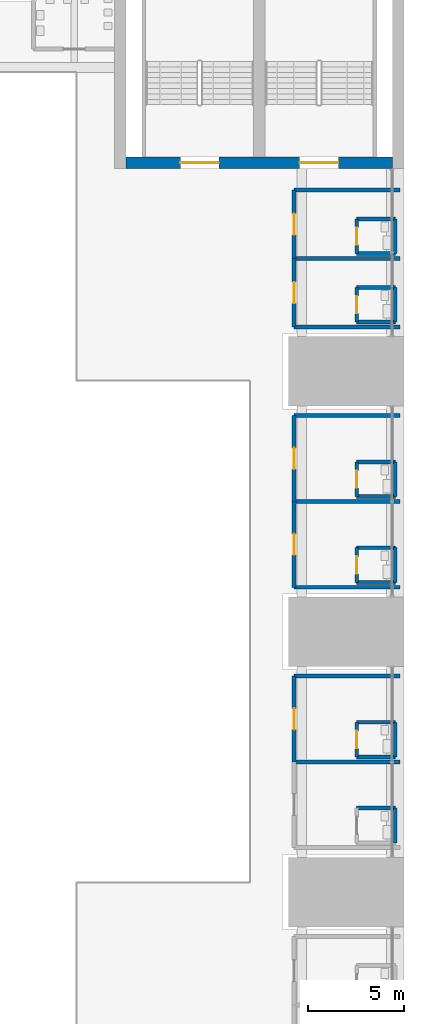
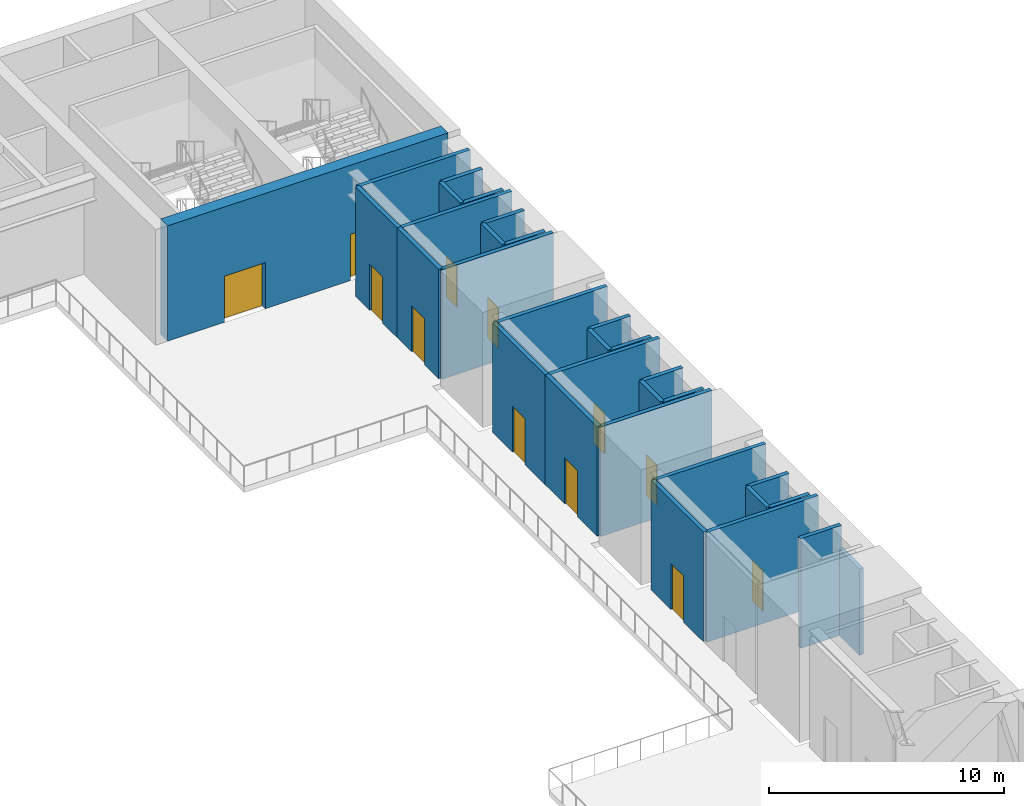
# One storey, part 17 of 43: 36 walls, 12 doors, 12 openings.
"""IFC4 building model written with IfcOpenShell, lengths in metres."""

from ifc_helpers import new_model, si_unit, direction, frame, frame_2d, origin, place, context, subcontext, project, spatial, rectangle, extrude, material, layer, layer_set, type_object, element, fill, save


model = new_model("IFC4")

# Units and contexts
model_context = context("Model", 3, precision=1e-05, world=origin(), true_north=direction((0.0, 1.0)))
body_context = subcontext(model_context, "Body", "Model", "MODEL_VIEW")
ifc_project = project(units=[si_unit("LENGTHUNIT", "METRE"), si_unit("AREAUNIT", "SQUARE_METRE"), si_unit("VOLUMEUNIT", "CUBIC_METRE"), si_unit("PLANEANGLEUNIT", "RADIAN"), si_unit("MASSUNIT", "GRAM", prefix="KILO")], contexts=[model_context])

# Site, building, storey
site_placement = place(None, origin())
site = spatial("IfcSite", under=ifc_project, at=site_placement, CompositionType="ELEMENT")
building_placement = place(site_placement, origin())
building = spatial("IfcBuilding", under=site, at=building_placement, Name="Corbelhall Arena Tower", CompositionType="ELEMENT")
storey_placement = place(building_placement, frame((0.0, 0.0, 25.0)))
storey = spatial("IfcBuildingStorey", under=building, at=storey_placement, Name="L03", CompositionType="ELEMENT", Elevation=25.0)

# Wall, opening, door
ifc_material_1 = material(Name="Gypsum board on steel studs", Category="steel")
ifc_layer_1 = layer(ifc_material_1, 0.199951171875)
ifc_layer_set_1 = layer_set([ifc_layer_1], Name="AR-ROOM-WALL")
wall_type_1 = type_object("IfcWallType", Name="AR-ROOM-WALL", PredefinedType="PARTITIONING", material=ifc_layer_set_1)
wall_1_placement = place(storey_placement, frame((42.300048828125, 2.300048828125, 0.0), z_axis=(0.0, 0.0, 1.0), x_axis=(0.0, 1.0, 0.0)))
wall_1 = element("IfcWall", 1, at=wall_1_placement, inside=storey, type_object=wall_type_1, Name="Suite seating 0301 wall", PredefinedType="PARTITIONING", context=body_context, shape_type="SweptSolid", body=[
    extrude(rectangle(XDim=4.449951171875, YDim=0.199951171875, at=frame_2d((2.22509765625, 0.0))), origin(), (0.0, 0.0, 1.0), 5.699951171875),
])
opening_1_placement = place(wall_1_placement, frame((1.675048828125, 0.0, 0.0)))
opening_1 = element("IfcOpeningElement", 2, at=opening_1_placement, cuts=wall_1, Name="Opening DA0383", PredefinedType="OPENING", context=body_context, shape_type="SweptSolid", body=[
    extrude(rectangle(XDim=1.10009765625, YDim=2.39990234375, at=frame_2d((0.550048828125, 1.199951171875))), frame((0.0, 0.10009765625, 0.0), z_axis=(0.0, -1.0, 0.0), x_axis=(1.0, 0.0, 0.0)), (0.0, 0.0, 1.0), 0.199951171875),
])
ifc_material_2 = material(Name="Timber", Category="wood")
door_type_1 = type_object("IfcDoorType", Name="AR-ROOM-DOOR", OperationType="DOUBLE_DOOR_SINGLE_SWING", PredefinedType="DOOR", material=ifc_material_2)
door_1_placement = place(opening_1_placement, origin())
door_1 = element("IfcDoor", 3, at=door_1_placement, inside=storey, type_object=door_type_1, Name="Suite seating 0301 door", OperationType="DOUBLE_DOOR_SINGLE_SWING", OverallHeight=2.39990234375, OverallWidth=1.10009765625, PredefinedType="DOOR", context=body_context, shape_type="SweptSolid", body=[
    extrude(rectangle(XDim=1.10009765625, YDim=2.39990234375, at=frame_2d((0.550048828125, 1.199951171875))), frame((0.0, 0.02490234375, 0.0), z_axis=(0.0, -1.0, 0.0), x_axis=(1.0, 0.0, 0.0)), (0.0, 0.0, 1.0), 0.050048828125),
])
fill(opening_1, door_1)

# Walls
for number, where, z_axis, x_axis, name in (
    (4, (42.300048828125, 2.300048828125, 0.0), (0.0, 0.0, 1.0), (1.0, 0.0, 0.0), "Suite seating 0301 end wall"),
    (5, (42.300048828125, 6.75, 0.0), (0.0, 0.0, 1.0), (1.0, 0.0, 0.0), "Suite seating 0301 partition"),
):
    element("IfcWall", number, at=place(storey_placement, frame(where, z_axis=z_axis, x_axis=x_axis)), inside=storey, type_object=wall_type_1, Name=name, PredefinedType="PARTITIONING", context=body_context, shape_type="SweptSolid", body=[
        extrude(rectangle(XDim=5.5, YDim=0.199951171875, at=frame_2d((2.75, 0.0))), origin(), (0.0, 0.0, 1.0), 5.699951171875),
    ])
for number, where, z_axis, x_axis, name in (
    (6, (45.550048828125, 2.550048828125, 0.0), (0.0, 0.0, 1.0), (1.0, 0.0, 0.0), "Suite WC 0301 wall"),
    (7, (47.550048828125, 4.35009765625, 0.0), (0.0, 0.0, 1.0), (-1.0, 0.0, 0.0), "Suite WC 0301 wall"),
):
    element("IfcWall", number, at=place(storey_placement, frame(where, z_axis=z_axis, x_axis=x_axis)), inside=storey, type_object=wall_type_1, Name=name, PredefinedType="PARTITIONING", context=body_context, shape_type="SweptSolid", body=[
        extrude(rectangle(XDim=2.0, YDim=0.199951171875, at=frame_2d((1.0, 0.0))), origin(), (0.0, 0.0, 1.0), 5.699951171875),
    ])

# Wall, opening, door
wall_2_placement = place(storey_placement, frame((45.550048828125, 2.550048828125, 0.0), z_axis=(0.0, 0.0, 1.0), x_axis=(0.0, 1.0, 0.0)))
wall_2 = element("IfcWall", 8, at=wall_2_placement, inside=storey, type_object=wall_type_1, Name="Suite WC 0301 wall", PredefinedType="PARTITIONING", context=body_context, shape_type="SweptSolid", body=[
    extrude(rectangle(XDim=1.800048828125, YDim=0.199951171875, at=frame_2d((0.89990234375, 0.0))), origin(), (0.0, 0.0, 1.0), 5.699951171875),
])
opening_2_placement = place(wall_2_placement, frame((0.449951171875, 0.0, 0.0)))
opening_2 = element("IfcOpeningElement", 9, at=opening_2_placement, cuts=wall_2, Name="Opening DA0384", PredefinedType="OPENING", context=body_context, shape_type="SweptSolid", body=[
    extrude(rectangle(XDim=0.89990234375, YDim=2.10009765625, at=frame_2d((0.449951171875, 1.050048828125))), frame((0.0, 0.10009765625, 0.0), z_axis=(0.0, -1.0, 0.0), x_axis=(1.0, 0.0, 0.0)), (0.0, 0.0, 1.0), 0.199951171875),
])
door_type_2 = type_object("IfcDoorType", Name="AR-CELL-DOOR", OperationType="SINGLE_SWING_LEFT", PredefinedType="DOOR", material=ifc_material_2)
door_2_placement = place(opening_2_placement, origin())
door_2 = element("IfcDoor", 10, at=door_2_placement, inside=storey, type_object=door_type_2, Name="Suite WC 0301 door", OperationType="SINGLE_SWING_LEFT", OverallHeight=2.10009765625, OverallWidth=0.89990234375, PredefinedType="DOOR", context=body_context, shape_type="SweptSolid", body=[
    extrude(rectangle(XDim=0.89990234375, YDim=2.10009765625, at=frame_2d((0.449951171875, 1.050048828125))), frame((0.0, 0.02490234375, 0.0), z_axis=(0.0, -1.0, 0.0), x_axis=(1.0, 0.0, 0.0)), (0.0, 0.0, 1.0), 0.050048828125),
])
fill(opening_2, door_2)

wall_3_placement = place(storey_placement, frame((42.300048828125, 6.75, 0.0), z_axis=(0.0, 0.0, 1.0), x_axis=(0.0, 1.0, 0.0)))
wall_3 = element("IfcWall", 11, at=wall_3_placement, inside=storey, type_object=wall_type_1, Name="Suite seating 0302 wall", PredefinedType="PARTITIONING", context=body_context, shape_type="SweptSolid", body=[
    extrude(rectangle(XDim=4.449951171875, YDim=0.199951171875, at=frame_2d((2.22509765625, 0.0))), origin(), (0.0, 0.0, 1.0), 5.699951171875),
])
opening_3_placement = place(wall_3_placement, frame((1.675048828125, 0.0, 0.0)))
opening_3 = element("IfcOpeningElement", 12, at=opening_3_placement, cuts=wall_3, Name="Opening DA0385", PredefinedType="OPENING", context=body_context, shape_type="SweptSolid", body=[
    extrude(rectangle(XDim=1.10009765625, YDim=2.39990234375, at=frame_2d((0.550048828125, 1.199951171875))), frame((0.0, 0.10009765625, 0.0), z_axis=(0.0, -1.0, 0.0), x_axis=(1.0, 0.0, 0.0)), (0.0, 0.0, 1.0), 0.199951171875),
])
door_3_placement = place(opening_3_placement, origin())
door_3 = element("IfcDoor", 13, at=door_3_placement, inside=storey, type_object=door_type_1, Name="Suite seating 0302 door", OperationType="DOUBLE_DOOR_SINGLE_SWING", OverallHeight=2.39990234375, OverallWidth=1.10009765625, PredefinedType="DOOR", context=body_context, shape_type="SweptSolid", body=[
    extrude(rectangle(XDim=1.10009765625, YDim=2.39990234375, at=frame_2d((0.550048828125, 1.199951171875))), frame((0.0, 0.02490234375, 0.0), z_axis=(0.0, -1.0, 0.0), x_axis=(1.0, 0.0, 0.0)), (0.0, 0.0, 1.0), 0.050048828125),
])
fill(opening_3, door_3)

# Walls
wall_4_placement = place(storey_placement, frame((42.300048828125, 11.199951171875, 0.0), z_axis=(0.0, 0.0, 1.0), x_axis=(1.0, 0.0, 0.0)))
element("IfcWall", 14, at=wall_4_placement, inside=storey, type_object=wall_type_1, Name="Suite seating 0302 end wall", PredefinedType="PARTITIONING", context=body_context, shape_type="SweptSolid", body=[
    extrude(rectangle(XDim=5.5, YDim=0.199951171875, at=frame_2d((2.75, 0.0))), origin(), (0.0, 0.0, 1.0), 5.699951171875),
])
for number, where, z_axis, x_axis, name in (
    (15, (45.550048828125, 7.0, 0.0), (0.0, 0.0, 1.0), (1.0, 0.0, 0.0), "Suite WC 0302 wall"),
    (16, (47.550048828125, 8.800048828125, 0.0), (0.0, 0.0, 1.0), (-1.0, 0.0, 0.0), "Suite WC 0302 wall"),
):
    element("IfcWall", number, at=place(storey_placement, frame(where, z_axis=z_axis, x_axis=x_axis)), inside=storey, type_object=wall_type_1, Name=name, PredefinedType="PARTITIONING", context=body_context, shape_type="SweptSolid", body=[
        extrude(rectangle(XDim=2.0, YDim=0.199951171875, at=frame_2d((1.0, 0.0))), origin(), (0.0, 0.0, 1.0), 5.699951171875),
    ])

# Wall, opening, door
wall_5_placement = place(storey_placement, frame((45.550048828125, 7.0, 0.0), z_axis=(0.0, 0.0, 1.0), x_axis=(0.0, 1.0, 0.0)))
wall_5 = element("IfcWall", 17, at=wall_5_placement, inside=storey, type_object=wall_type_1, Name="Suite WC 0302 wall", PredefinedType="PARTITIONING", context=body_context, shape_type="SweptSolid", body=[
    extrude(rectangle(XDim=1.800048828125, YDim=0.199951171875, at=frame_2d((0.89990234375, 0.0))), origin(), (0.0, 0.0, 1.0), 5.699951171875),
])
opening_4_placement = place(wall_5_placement, frame((0.449951171875, 0.0, 0.0)))
opening_4 = element("IfcOpeningElement", 18, at=opening_4_placement, cuts=wall_5, Name="Opening DA0386", PredefinedType="OPENING", context=body_context, shape_type="SweptSolid", body=[
    extrude(rectangle(XDim=0.89990234375, YDim=2.10009765625, at=frame_2d((0.449951171875, 1.050048828125))), frame((0.0, 0.10009765625, 0.0), z_axis=(0.0, -1.0, 0.0), x_axis=(1.0, 0.0, 0.0)), (0.0, 0.0, 1.0), 0.199951171875),
])
door_4_placement = place(opening_4_placement, origin())
door_4 = element("IfcDoor", 19, at=door_4_placement, inside=storey, type_object=door_type_2, Name="Suite WC 0302 door", OperationType="SINGLE_SWING_LEFT", OverallHeight=2.10009765625, OverallWidth=0.89990234375, PredefinedType="DOOR", context=body_context, shape_type="SweptSolid", body=[
    extrude(rectangle(XDim=0.89990234375, YDim=2.10009765625, at=frame_2d((0.449951171875, 1.050048828125))), frame((0.0, 0.02490234375, 0.0), z_axis=(0.0, -1.0, 0.0), x_axis=(1.0, 0.0, 0.0)), (0.0, 0.0, 1.0), 0.050048828125),
])
fill(opening_4, door_4)

# Walls
wall_6_placement = place(storey_placement, frame((42.300048828125, -6.75, 0.0), z_axis=(0.0, 0.0, 1.0), x_axis=(1.0, 0.0, 0.0)))
element("IfcWall", 20, at=wall_6_placement, inside=storey, type_object=wall_type_1, Name="Suite seating 0303 partition", PredefinedType="PARTITIONING", context=body_context, shape_type="SweptSolid", body=[
    extrude(rectangle(XDim=5.5, YDim=0.199951171875, at=frame_2d((2.75, 0.0))), origin(), (0.0, 0.0, 1.0), 5.699951171875),
])
wall_7_placement = place(storey_placement, frame((47.550048828125, -9.14990234375, 0.0), z_axis=(0.0, 0.0, 1.0), x_axis=(-1.0, 0.0, 0.0)))
element("IfcWall", 21, at=wall_7_placement, inside=storey, type_object=wall_type_1, Name="Suite WC 0303 wall", PredefinedType="PARTITIONING", context=body_context, shape_type="SweptSolid", body=[
    extrude(rectangle(XDim=2.0, YDim=0.199951171875, at=frame_2d((1.0, 0.0))), origin(), (0.0, 0.0, 1.0), 5.699951171875),
])

# Wall, opening, door
wall_8_placement = place(storey_placement, frame((42.300048828125, -6.75, 0.0), z_axis=(0.0, 0.0, 1.0), x_axis=(0.0, 1.0, 0.0)))
wall_8 = element("IfcWall", 22, at=wall_8_placement, inside=storey, type_object=wall_type_1, Name="Suite seating 0304 wall", PredefinedType="PARTITIONING", context=body_context, shape_type="SweptSolid", body=[
    extrude(rectangle(XDim=4.449951171875, YDim=0.199951171875, at=frame_2d((2.22509765625, 0.0))), origin(), (0.0, 0.0, 1.0), 5.699951171875),
])
opening_5_placement = place(wall_8_placement, frame((1.675048828125, 0.0, 0.0)))
opening_5 = element("IfcOpeningElement", 23, at=opening_5_placement, cuts=wall_8, Name="Opening DA0389", PredefinedType="OPENING", context=body_context, shape_type="SweptSolid", body=[
    extrude(rectangle(XDim=1.10009765625, YDim=2.39990234375, at=frame_2d((0.550048828125, 1.199951171875))), frame((0.0, 0.10009765625, 0.0), z_axis=(0.0, -1.0, 0.0), x_axis=(1.0, 0.0, 0.0)), (0.0, 0.0, 1.0), 0.199951171875),
])
door_5_placement = place(opening_5_placement, origin())
door_5 = element("IfcDoor", 24, at=door_5_placement, inside=storey, type_object=door_type_1, Name="Suite seating 0304 door", OperationType="DOUBLE_DOOR_SINGLE_SWING", OverallHeight=2.39990234375, OverallWidth=1.10009765625, PredefinedType="DOOR", context=body_context, shape_type="SweptSolid", body=[
    extrude(rectangle(XDim=1.10009765625, YDim=2.39990234375, at=frame_2d((0.550048828125, 1.199951171875))), frame((0.0, 0.02490234375, 0.0), z_axis=(0.0, -1.0, 0.0), x_axis=(1.0, 0.0, 0.0)), (0.0, 0.0, 1.0), 0.050048828125),
])
fill(opening_5, door_5)

# Walls
wall_9_placement = place(storey_placement, frame((42.300048828125, -2.300048828125, 0.0), z_axis=(0.0, 0.0, 1.0), x_axis=(1.0, 0.0, 0.0)))
element("IfcWall", 25, at=wall_9_placement, inside=storey, type_object=wall_type_1, Name="Suite seating 0304 end wall", PredefinedType="PARTITIONING", context=body_context, shape_type="SweptSolid", body=[
    extrude(rectangle(XDim=5.5, YDim=0.199951171875, at=frame_2d((2.75, 0.0))), origin(), (0.0, 0.0, 1.0), 5.699951171875),
])
for number, where, z_axis, x_axis, name in (
    (26, (45.550048828125, -6.5, 0.0), (0.0, 0.0, 1.0), (1.0, 0.0, 0.0), "Suite WC 0304 wall"),
    (27, (47.550048828125, -4.699951171875, 0.0), (0.0, 0.0, 1.0), (-1.0, 0.0, 0.0), "Suite WC 0304 wall"),
):
    element("IfcWall", number, at=place(storey_placement, frame(where, z_axis=z_axis, x_axis=x_axis)), inside=storey, type_object=wall_type_1, Name=name, PredefinedType="PARTITIONING", context=body_context, shape_type="SweptSolid", body=[
        extrude(rectangle(XDim=2.0, YDim=0.199951171875, at=frame_2d((1.0, 0.0))), origin(), (0.0, 0.0, 1.0), 5.699951171875),
    ])

# Wall, opening, door
wall_10_placement = place(storey_placement, frame((45.550048828125, -6.5, 0.0), z_axis=(0.0, 0.0, 1.0), x_axis=(0.0, 1.0, 0.0)))
wall_10 = element("IfcWall", 28, at=wall_10_placement, inside=storey, type_object=wall_type_1, Name="Suite WC 0304 wall", PredefinedType="PARTITIONING", context=body_context, shape_type="SweptSolid", body=[
    extrude(rectangle(XDim=1.800048828125, YDim=0.199951171875, at=frame_2d((0.89990234375, 0.0))), origin(), (0.0, 0.0, 1.0), 5.699951171875),
])
opening_6_placement = place(wall_10_placement, frame((0.449951171875, 0.0, 0.0)))
opening_6 = element("IfcOpeningElement", 29, at=opening_6_placement, cuts=wall_10, Name="Opening DA0390", PredefinedType="OPENING", context=body_context, shape_type="SweptSolid", body=[
    extrude(rectangle(XDim=0.89990234375, YDim=2.10009765625, at=frame_2d((0.449951171875, 1.050048828125))), frame((0.0, 0.10009765625, 0.0), z_axis=(0.0, -1.0, 0.0), x_axis=(1.0, 0.0, 0.0)), (0.0, 0.0, 1.0), 0.199951171875),
])
door_6_placement = place(opening_6_placement, origin())
door_6 = element("IfcDoor", 30, at=door_6_placement, inside=storey, type_object=door_type_2, Name="Suite WC 0304 door", OperationType="SINGLE_SWING_LEFT", OverallHeight=2.10009765625, OverallWidth=0.89990234375, PredefinedType="DOOR", context=body_context, shape_type="SweptSolid", body=[
    extrude(rectangle(XDim=0.89990234375, YDim=2.10009765625, at=frame_2d((0.449951171875, 1.050048828125))), frame((0.0, 0.02490234375, 0.0), z_axis=(0.0, -1.0, 0.0), x_axis=(1.0, 0.0, 0.0)), (0.0, 0.0, 1.0), 0.050048828125),
])
fill(opening_6, door_6)

wall_11_placement = place(storey_placement, frame((42.300048828125, 15.800048828125, 0.0), z_axis=(0.0, 0.0, 1.0), x_axis=(0.0, 1.0, 0.0)))
wall_11 = element("IfcWall", 31, at=wall_11_placement, inside=storey, type_object=wall_type_1, Name="Suite seating 0305 wall", PredefinedType="PARTITIONING", context=body_context, shape_type="SweptSolid", body=[
    extrude(rectangle(XDim=3.550048828125, YDim=0.199951171875, at=frame_2d((1.77490234375, 0.0))), origin(), (0.0, 0.0, 1.0), 5.699951171875),
])
opening_7_placement = place(wall_11_placement, frame((1.22509765625, 0.0, 0.0)))
opening_7 = element("IfcOpeningElement", 32, at=opening_7_placement, cuts=wall_11, Name="Opening DA0391", PredefinedType="OPENING", context=body_context, shape_type="SweptSolid", body=[
    extrude(rectangle(XDim=1.10009765625, YDim=2.39990234375, at=frame_2d((0.550048828125, 1.199951171875))), frame((0.0, 0.10009765625, 0.0), z_axis=(0.0, -1.0, 0.0), x_axis=(1.0, 0.0, 0.0)), (0.0, 0.0, 1.0), 0.199951171875),
])
door_7_placement = place(opening_7_placement, origin())
door_7 = element("IfcDoor", 33, at=door_7_placement, inside=storey, type_object=door_type_1, Name="Suite seating 0305 door", OperationType="DOUBLE_DOOR_SINGLE_SWING", OverallHeight=2.39990234375, OverallWidth=1.10009765625, PredefinedType="DOOR", context=body_context, shape_type="SweptSolid", body=[
    extrude(rectangle(XDim=1.10009765625, YDim=2.39990234375, at=frame_2d((0.550048828125, 1.199951171875))), frame((0.0, 0.02490234375, 0.0), z_axis=(0.0, -1.0, 0.0), x_axis=(1.0, 0.0, 0.0)), (0.0, 0.0, 1.0), 0.050048828125),
])
fill(opening_7, door_7)

# Walls
for number, where, z_axis, x_axis, name in (
    (34, (42.300048828125, 15.800048828125, 0.0), (0.0, 0.0, 1.0), (1.0, 0.0, 0.0), "Suite seating 0305 end wall"),
    (35, (42.300048828125, 19.35009765625, 0.0), (0.0, 0.0, 1.0), (1.0, 0.0, 0.0), "Suite seating 0305 partition"),
):
    element("IfcWall", number, at=place(storey_placement, frame(where, z_axis=z_axis, x_axis=x_axis)), inside=storey, type_object=wall_type_1, Name=name, PredefinedType="PARTITIONING", context=body_context, shape_type="SweptSolid", body=[
        extrude(rectangle(XDim=5.5, YDim=0.199951171875, at=frame_2d((2.75, 0.0))), origin(), (0.0, 0.0, 1.0), 5.699951171875),
    ])
for number, where, z_axis, x_axis, name in (
    (36, (45.550048828125, 16.050048828125, 0.0), (0.0, 0.0, 1.0), (1.0, 0.0, 0.0), "Suite WC 0305 wall"),
    (37, (47.550048828125, 17.85009765625, 0.0), (0.0, 0.0, 1.0), (-1.0, 0.0, 0.0), "Suite WC 0305 wall"),
):
    element("IfcWall", number, at=place(storey_placement, frame(where, z_axis=z_axis, x_axis=x_axis)), inside=storey, type_object=wall_type_1, Name=name, PredefinedType="PARTITIONING", context=body_context, shape_type="SweptSolid", body=[
        extrude(rectangle(XDim=2.0, YDim=0.199951171875, at=frame_2d((1.0, 0.0))), origin(), (0.0, 0.0, 1.0), 5.699951171875),
    ])

# Wall, opening, door
wall_12_placement = place(storey_placement, frame((45.550048828125, 16.050048828125, 0.0), z_axis=(0.0, 0.0, 1.0), x_axis=(0.0, 1.0, 0.0)))
wall_12 = element("IfcWall", 38, at=wall_12_placement, inside=storey, type_object=wall_type_1, Name="Suite WC 0305 wall", PredefinedType="PARTITIONING", context=body_context, shape_type="SweptSolid", body=[
    extrude(rectangle(XDim=1.800048828125, YDim=0.199951171875, at=frame_2d((0.89990234375, 0.0))), origin(), (0.0, 0.0, 1.0), 5.699951171875),
])
opening_8_placement = place(wall_12_placement, frame((0.449951171875, 0.0, 0.0)))
opening_8 = element("IfcOpeningElement", 39, at=opening_8_placement, cuts=wall_12, Name="Opening DA0392", PredefinedType="OPENING", context=body_context, shape_type="SweptSolid", body=[
    extrude(rectangle(XDim=0.89990234375, YDim=2.10009765625, at=frame_2d((0.449951171875, 1.050048828125))), frame((0.0, 0.10009765625, 0.0), z_axis=(0.0, -1.0, 0.0), x_axis=(1.0, 0.0, 0.0)), (0.0, 0.0, 1.0), 0.199951171875),
])
door_8_placement = place(opening_8_placement, origin())
door_8 = element("IfcDoor", 40, at=door_8_placement, inside=storey, type_object=door_type_2, Name="Suite WC 0305 door", OperationType="SINGLE_SWING_LEFT", OverallHeight=2.10009765625, OverallWidth=0.89990234375, PredefinedType="DOOR", context=body_context, shape_type="SweptSolid", body=[
    extrude(rectangle(XDim=0.89990234375, YDim=2.10009765625, at=frame_2d((0.449951171875, 1.050048828125))), frame((0.0, 0.02490234375, 0.0), z_axis=(0.0, -1.0, 0.0), x_axis=(1.0, 0.0, 0.0)), (0.0, 0.0, 1.0), 0.050048828125),
])
fill(opening_8, door_8)

wall_13_placement = place(storey_placement, frame((42.300048828125, 19.35009765625, 0.0), z_axis=(0.0, 0.0, 1.0), x_axis=(0.0, 1.0, 0.0)))
wall_13 = element("IfcWall", 41, at=wall_13_placement, inside=storey, type_object=wall_type_1, Name="Suite seating 0306 wall", PredefinedType="PARTITIONING", context=body_context, shape_type="SweptSolid", body=[
    extrude(rectangle(XDim=3.5498046875, YDim=0.199951171875, at=frame_2d((1.77490234375, 0.0))), origin(), (0.0, 0.0, 1.0), 5.699951171875),
])
opening_9_placement = place(wall_13_placement, frame((1.22509765625, 0.0, 0.0)))
opening_9 = element("IfcOpeningElement", 42, at=opening_9_placement, cuts=wall_13, Name="Opening DA0393", PredefinedType="OPENING", context=body_context, shape_type="SweptSolid", body=[
    extrude(rectangle(XDim=1.10009765625, YDim=2.39990234375, at=frame_2d((0.550048828125, 1.199951171875))), frame((0.0, 0.10009765625, 0.0), z_axis=(0.0, -1.0, 0.0), x_axis=(1.0, 0.0, 0.0)), (0.0, 0.0, 1.0), 0.199951171875),
])
door_9_placement = place(opening_9_placement, origin())
door_9 = element("IfcDoor", 43, at=door_9_placement, inside=storey, type_object=door_type_1, Name="Suite seating 0306 door", OperationType="DOUBLE_DOOR_SINGLE_SWING", OverallHeight=2.39990234375, OverallWidth=1.10009765625, PredefinedType="DOOR", context=body_context, shape_type="SweptSolid", body=[
    extrude(rectangle(XDim=1.10009765625, YDim=2.39990234375, at=frame_2d((0.550048828125, 1.199951171875))), frame((0.0, 0.02490234375, 0.0), z_axis=(0.0, -1.0, 0.0), x_axis=(1.0, 0.0, 0.0)), (0.0, 0.0, 1.0), 0.050048828125),
])
fill(opening_9, door_9)

# Walls
wall_14_placement = place(storey_placement, frame((42.300048828125, 22.89990234375, 0.0), z_axis=(0.0, 0.0, 1.0), x_axis=(1.0, 0.0, 0.0)))
element("IfcWall", 44, at=wall_14_placement, inside=storey, type_object=wall_type_1, Name="Suite seating 0306 end wall", PredefinedType="PARTITIONING", context=body_context, shape_type="SweptSolid", body=[
    extrude(rectangle(XDim=5.5, YDim=0.199951171875, at=frame_2d((2.75, 0.0))), origin(), (0.0, 0.0, 1.0), 5.699951171875),
])
for number, where, z_axis, x_axis, name in (
    (45, (45.550048828125, 19.60009765625, 0.0), (0.0, 0.0, 1.0), (1.0, 0.0, 0.0), "Suite WC 0306 wall"),
    (46, (47.550048828125, 21.39990234375, 0.0), (0.0, 0.0, 1.0), (-1.0, 0.0, 0.0), "Suite WC 0306 wall"),
):
    element("IfcWall", number, at=place(storey_placement, frame(where, z_axis=z_axis, x_axis=x_axis)), inside=storey, type_object=wall_type_1, Name=name, PredefinedType="PARTITIONING", context=body_context, shape_type="SweptSolid", body=[
        extrude(rectangle(XDim=2.0, YDim=0.199951171875, at=frame_2d((1.0, 0.0))), origin(), (0.0, 0.0, 1.0), 5.699951171875),
    ])

# Wall, opening, door
wall_15_placement = place(storey_placement, frame((45.550048828125, 19.60009765625, 0.0), z_axis=(0.0, 0.0, 1.0), x_axis=(0.0, 1.0, 0.0)))
wall_15 = element("IfcWall", 47, at=wall_15_placement, inside=storey, type_object=wall_type_1, Name="Suite WC 0306 wall", PredefinedType="PARTITIONING", context=body_context, shape_type="SweptSolid", body=[
    extrude(rectangle(XDim=1.7998046875, YDim=0.199951171875, at=frame_2d((0.89990234375, 0.0))), origin(), (0.0, 0.0, 1.0), 5.699951171875),
])
opening_10_placement = place(wall_15_placement, frame((0.449951171875, 0.0, 0.0)))
opening_10 = element("IfcOpeningElement", 48, at=opening_10_placement, cuts=wall_15, Name="Opening DA0394", PredefinedType="OPENING", context=body_context, shape_type="SweptSolid", body=[
    extrude(rectangle(XDim=0.89990234375, YDim=2.10009765625, at=frame_2d((0.449951171875, 1.050048828125))), frame((0.0, 0.10009765625, 0.0), z_axis=(0.0, -1.0, 0.0), x_axis=(1.0, 0.0, 0.0)), (0.0, 0.0, 1.0), 0.199951171875),
])
door_10_placement = place(opening_10_placement, origin())
door_10 = element("IfcDoor", 49, at=door_10_placement, inside=storey, type_object=door_type_2, Name="Suite WC 0306 door", OperationType="SINGLE_SWING_LEFT", OverallHeight=2.10009765625, OverallWidth=0.89990234375, PredefinedType="DOOR", context=body_context, shape_type="SweptSolid", body=[
    extrude(rectangle(XDim=0.89990234375, YDim=2.10009765625, at=frame_2d((0.449951171875, 1.050048828125))), frame((0.0, 0.02490234375, 0.0), z_axis=(0.0, -1.0, 0.0), x_axis=(1.0, 0.0, 0.0)), (0.0, 0.0, 1.0), 0.050048828125),
])
fill(opening_10, door_10)

# Walls
ifc_layer_2 = layer(ifc_material_1, 0.199951171875)
ifc_layer_set_2 = layer_set([ifc_layer_2], Name="AR-ROOM-WALL under beam 1200 mm")
wall_type_2 = type_object("IfcWallType", Name="AR-ROOM-WALL under beam 1200 mm", PredefinedType="PARTITIONING", material=ifc_layer_set_2)
for number, where, z_axis, x_axis, name in (
    (50, (47.550048828125, 2.550048828125, 0.0), (0.0, 0.0, 1.0), (0.0, 1.0, 0.0), "Suite WC 0301 wall"),
    (51, (47.550048828125, 7.0, 0.0), (0.0, 0.0, 1.0), (0.0, 1.0, 0.0), "Suite WC 0302 wall"),
    (52, (47.550048828125, -10.949951171875, 0.0), (0.0, 0.0, 1.0), (0.0, 1.0, 0.0), "Suite WC 0303 wall"),
    (53, (47.550048828125, -6.5, 0.0), (0.0, 0.0, 1.0), (0.0, 1.0, 0.0), "Suite WC 0304 wall"),
    (54, (47.550048828125, 16.050048828125, 0.0), (0.0, 0.0, 1.0), (0.0, 1.0, 0.0), "Suite WC 0305 wall"),
):
    element("IfcWall", number, at=place(storey_placement, frame(where, z_axis=z_axis, x_axis=x_axis)), inside=storey, type_object=wall_type_2, Name=name, PredefinedType="PARTITIONING", context=body_context, shape_type="SweptSolid", body=[
        extrude(rectangle(XDim=1.800048828125, YDim=0.199951171875, at=frame_2d((0.89990234375, 0.0))), origin(), (0.0, 0.0, 1.0), 4.5),
    ])
wall_16_placement = place(storey_placement, frame((47.550048828125, 19.60009765625, 0.0), z_axis=(0.0, 0.0, 1.0), x_axis=(0.0, 1.0, 0.0)))
element("IfcWall", 55, at=wall_16_placement, inside=storey, type_object=wall_type_2, Name="Suite WC 0306 wall", PredefinedType="PARTITIONING", context=body_context, shape_type="SweptSolid", body=[
    extrude(rectangle(XDim=1.7998046875, YDim=0.199951171875, at=frame_2d((0.89990234375, 0.0))), origin(), (0.0, 0.0, 1.0), 4.5),
])

# Wall, openings, doors
ifc_material_3 = material(Name="Concrete C80/95", Category="concrete")
ifc_layer_3 = layer(ifc_material_3, 0.60009765625)
ifc_layer_set_3 = layer_set([ifc_layer_3], Name="PO-CORE-WALL")
wall_type_3 = type_object("IfcWallType", Name="PO-CORE-WALL", PredefinedType="SHEAR", material=ifc_layer_set_3)
wall_17_placement = place(storey_placement, frame((33.60009765625, 24.300048828125, 0.0), z_axis=(0.0, 0.0, 1.0), x_axis=(1.0, 0.0, 0.0)))
wall_17 = element("IfcWall", 56, at=wall_17_placement, inside=storey, type_object=wall_type_3, Name="CORE NE WALL S L03", PredefinedType="SHEAR", context=body_context, shape_type="SweptSolid", body=[
    extrude(rectangle(XDim=13.7998046875, YDim=0.60009765625, at=frame_2d((6.89990234375, 0.0))), origin(), (0.0, 0.0, 1.0), 6.0),
])
opening_11_placement = place(wall_17_placement, frame((2.804931640625, 0.0, 0.0)))
opening_11 = element("IfcOpeningElement", 57, at=opening_11_placement, cuts=wall_17, Name="Opening DA0056", PredefinedType="OPENING", context=body_context, shape_type="SweptSolid", body=[
    extrude(rectangle(XDim=2.0, YDim=2.39990234375, at=frame_2d((1.0, 1.199951171875))), frame((0.0, 0.300048828125, 0.0), z_axis=(0.0, -1.0, 0.0), x_axis=(1.0, 0.0, 0.0)), (0.0, 0.0, 1.0), 0.60009765625),
])
opening_12_placement = place(wall_17_placement, frame((8.9951171875, 0.0, 0.0)))
opening_12 = element("IfcOpeningElement", 58, at=opening_12_placement, cuts=wall_17, Name="Opening DA0064", PredefinedType="OPENING", context=body_context, shape_type="SweptSolid", body=[
    extrude(rectangle(XDim=2.0, YDim=2.39990234375, at=frame_2d((1.0, 1.199951171875))), frame((0.0, 0.300048828125, 0.0), z_axis=(0.0, -1.0, 0.0), x_axis=(1.0, 0.0, 0.0)), (0.0, 0.0, 1.0), 0.60009765625),
])
ifc_material_4 = material(Name="Steel and glass", Category="steel")
door_type_3 = type_object("IfcDoorType", Name="AR-STAIR-DOOR", OperationType="DOUBLE_DOOR_SINGLE_SWING", PredefinedType="DOOR", material=ifc_material_4)
door_11_placement = place(opening_11_placement, origin())
door_11 = element("IfcDoor", 59, at=door_11_placement, inside=storey, type_object=door_type_3, Name="Stair AS1 door", OperationType="DOUBLE_DOOR_SINGLE_SWING", OverallHeight=2.39990234375, OverallWidth=2.0, PredefinedType="DOOR", context=body_context, shape_type="SweptSolid", body=[
    extrude(rectangle(XDim=2.0, YDim=2.39990234375, at=frame_2d((1.0, 1.199951171875))), frame((0.0, 0.02490234375, 0.0), z_axis=(0.0, -1.0, 0.0), x_axis=(1.0, 0.0, 0.0)), (0.0, 0.0, 1.0), 0.050048828125),
])
fill(opening_11, door_11)
door_12_placement = place(opening_12_placement, origin())
door_12 = element("IfcDoor", 60, at=door_12_placement, inside=storey, type_object=door_type_3, Name="Stair AS2 door", OperationType="DOUBLE_DOOR_SINGLE_SWING", OverallHeight=2.39990234375, OverallWidth=2.0, PredefinedType="DOOR", context=body_context, shape_type="SweptSolid", body=[
    extrude(rectangle(XDim=2.0, YDim=2.39990234375, at=frame_2d((1.0, 1.199951171875))), frame((0.0, 0.02490234375, 0.0), z_axis=(0.0, -1.0, 0.0), x_axis=(1.0, 0.0, 0.0)), (0.0, 0.0, 1.0), 0.050048828125),
])
fill(opening_12, door_12)

save(model, "model.ifc")
